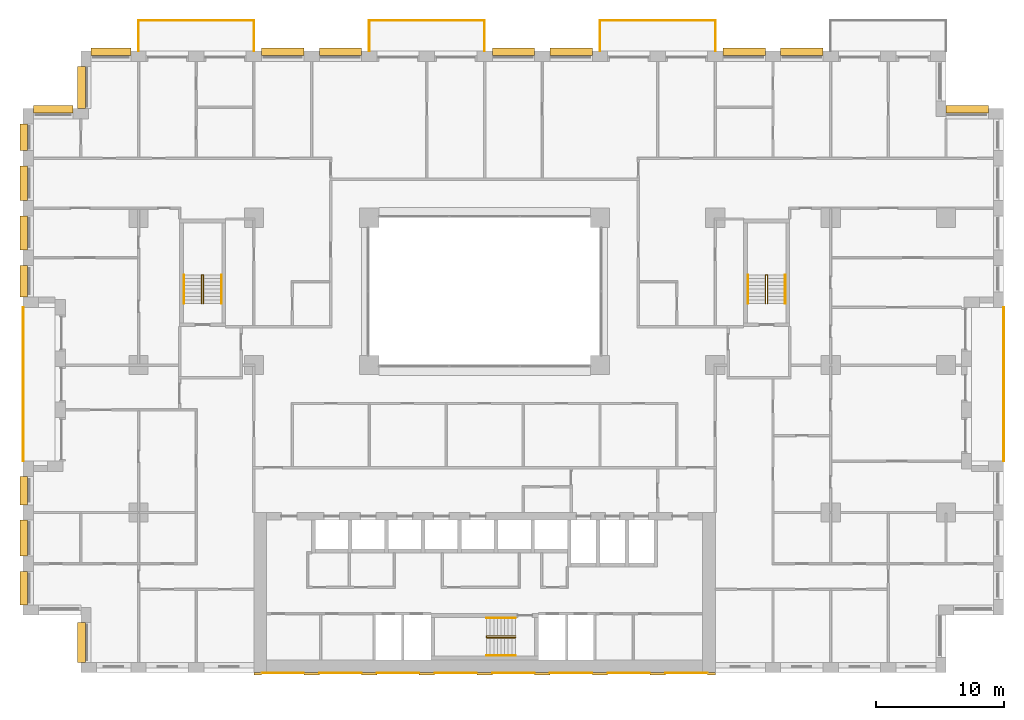
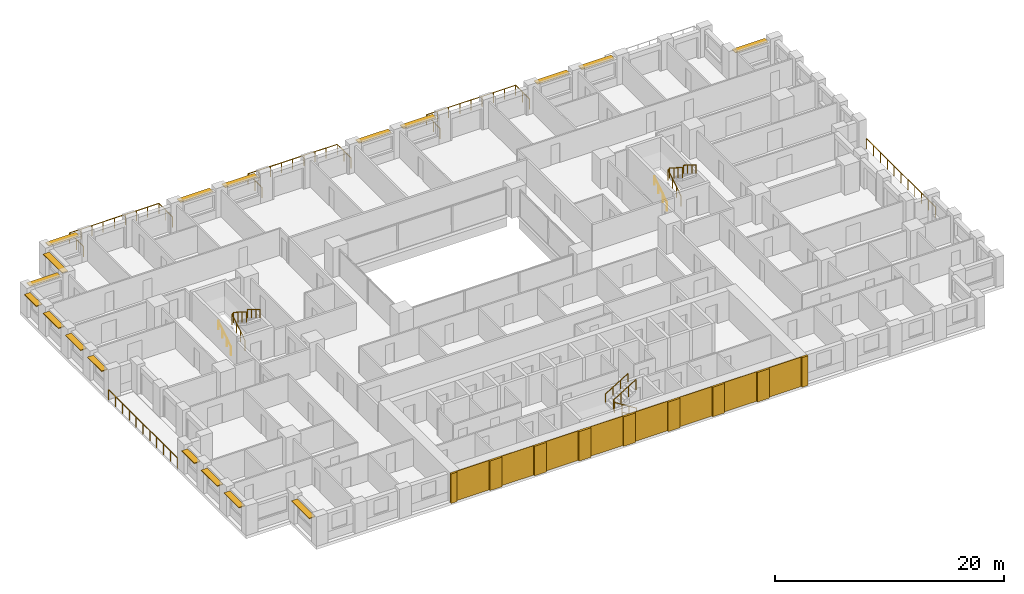
# One storey, part 18 of 19: 18 shading devices, 17 coverings, 14 railings.
"""IFC4 building model written with IfcOpenShell, lengths in metres."""

from ifc_helpers import new_model, si_unit, direction, frame, origin, origin_2d, place, context, subcontext, project, spatial, rectangle, circle, extrude, material, layer, layer_set, type_object, element, save


model = new_model("IFC4")

# Units and contexts
model_context = context("Model", 3, precision=1e-05, world=origin(), true_north=direction((0.0, 1.0)))
body_context = subcontext(model_context, "Body", "Model", "MODEL_VIEW")
ifc_project = project(units=[si_unit("LENGTHUNIT", "METRE"), si_unit("AREAUNIT", "SQUARE_METRE"), si_unit("VOLUMEUNIT", "CUBIC_METRE"), si_unit("PLANEANGLEUNIT", "RADIAN"), si_unit("MASSUNIT", "GRAM", prefix="KILO")], contexts=[model_context])

# Site, building, storey
site_placement = place(None, origin())
site = spatial("IfcSite", under=ifc_project, at=site_placement, CompositionType="ELEMENT")
building_placement = place(site_placement, origin())
building = spatial("IfcBuilding", under=site, at=building_placement, Name="Brigalow Station Residences", CompositionType="ELEMENT")
storey_placement = place(building_placement, frame((0.0, 0.0, 22.64990234375)))
storey = spatial("IfcBuildingStorey", under=building, at=storey_placement, Name="L05", CompositionType="ELEMENT", Elevation=22.64990234375)

# Railings
ifc_material_1 = material(Name="Stainless steel balustrade with laminated glass infill", Category="steel")
railing_type_1 = type_object("IfcRailingType", Name="BALCONY GUARD 1100", PredefinedType="GUARDRAIL", material=ifc_material_1)
railing_1_placement = place(storey_placement, frame((76.5, 16.5, -0.039794921875)))
element("IfcRailing", 1, at=railing_1_placement, inside=storey, type_object=railing_type_1, Name="L05/balcony-guard/1", PredefinedType="GUARDRAIL", context=body_context, shape_type="SweptSolid", body=[
    extrude(circle(Radius=0.02392578125, at=origin_2d()), frame((0.0, 0.0, 1.076171875), z_axis=(0.0, 1.0, 0.0), x_axis=(-1.0, 0.0, 0.0)), (0.0, 0.0, 1.0), 12.0),
    extrude(circle(Radius=0.02099609375, at=origin_2d()), origin(), (0.0, 0.0, 1.0), 1.052001953125),
    extrude(circle(Radius=0.02099609375, at=origin_2d()), frame((0.0, 1.199951171875, 0.0)), (0.0, 0.0, 1.0), 1.052001953125),
    extrude(circle(Radius=0.02099609375, at=origin_2d()), frame((0.0, 2.39990234375, 0.0)), (0.0, 0.0, 1.0), 1.052001953125),
    extrude(circle(Radius=0.02099609375, at=origin_2d()), frame((0.0, 3.60009765625, 0.0)), (0.0, 0.0, 1.0), 1.052001953125),
    extrude(circle(Radius=0.02099609375, at=origin_2d()), frame((0.0, 4.800048828125, 0.0)), (0.0, 0.0, 1.0), 1.052001953125),
    extrude(circle(Radius=0.02099609375, at=origin_2d()), frame((0.0, 6.0, 0.0)), (0.0, 0.0, 1.0), 1.052001953125),
    extrude(circle(Radius=0.02099609375, at=origin_2d()), frame((0.0, 7.199951171875, 0.0)), (0.0, 0.0, 1.0), 1.052001953125),
    extrude(circle(Radius=0.02099609375, at=origin_2d()), frame((0.0, 8.39990234375, 0.0)), (0.0, 0.0, 1.0), 1.052001953125),
    extrude(circle(Radius=0.02099609375, at=origin_2d()), frame((0.0, 9.60009765625, 0.0)), (0.0, 0.0, 1.0), 1.052001953125),
    extrude(circle(Radius=0.02099609375, at=origin_2d()), frame((0.0, 10.800048828125, 0.0)), (0.0, 0.0, 1.0), 1.052001953125),
    extrude(circle(Radius=0.02099609375, at=origin_2d()), frame((0.0, 12.0, 0.0)), (0.0, 0.0, 1.0), 1.052001953125),
])
railing_2_placement = place(storey_placement, frame((54.0, 48.5, -0.039794921875)))
element("IfcRailing", 2, at=railing_2_placement, inside=storey, type_object=railing_type_1, Name="L05/balcony-guard/3", PredefinedType="GUARDRAIL", context=body_context, shape_type="SweptSolid", body=[
    extrude(circle(Radius=0.02392578125, at=origin_2d()), frame((0.0, 0.0, 1.076171875), z_axis=(0.0, 1.0, 0.0), x_axis=(-1.0, 0.0, 0.0)), (0.0, 0.0, 1.0), 2.39990234375),
    extrude(circle(Radius=0.02392578125, at=origin_2d()), frame((0.0, 2.39990234375, 1.076171875), z_axis=(-1.0, 0.0, 0.0), x_axis=(0.0, -1.0, 0.0)), (0.0, 0.0, 1.0), 9.0),
    extrude(circle(Radius=0.02392578125, at=origin_2d()), frame((-9.0, 2.39990234375, 1.076171875), z_axis=(0.0, -1.0, 0.0), x_axis=(1.0, 0.0, 0.0)), (0.0, 0.0, 1.0), 2.39990234375),
    extrude(circle(Radius=0.02099609375, at=origin_2d()), origin(), (0.0, 0.0, 1.0), 1.052001953125),
    extrude(circle(Radius=0.02099609375, at=origin_2d()), frame((0.0, 1.199951171875, 0.0)), (0.0, 0.0, 1.0), 1.052001953125),
    extrude(circle(Radius=0.02099609375, at=origin_2d()), frame((0.0, 2.39990234375, 0.0)), (0.0, 0.0, 1.0), 1.052001953125),
    extrude(circle(Radius=0.02099609375, at=origin_2d()), frame((-1.125, 2.39990234375, 0.0)), (0.0, 0.0, 1.0), 1.052001953125),
    extrude(circle(Radius=0.02099609375, at=origin_2d()), frame((-2.25, 2.39990234375, 0.0)), (0.0, 0.0, 1.0), 1.052001953125),
    extrude(circle(Radius=0.02099609375, at=origin_2d()), frame((-3.375, 2.39990234375, 0.0)), (0.0, 0.0, 1.0), 1.052001953125),
    extrude(circle(Radius=0.02099609375, at=origin_2d()), frame((-4.5, 2.39990234375, 0.0)), (0.0, 0.0, 1.0), 1.052001953125),
    extrude(circle(Radius=0.02099609375, at=origin_2d()), frame((-5.625, 2.39990234375, 0.0)), (0.0, 0.0, 1.0), 1.052001953125),
    extrude(circle(Radius=0.02099609375, at=origin_2d()), frame((-6.75, 2.39990234375, 0.0)), (0.0, 0.0, 1.0), 1.052001953125),
    extrude(circle(Radius=0.02099609375, at=origin_2d()), frame((-7.875, 2.39990234375, 0.0)), (0.0, 0.0, 1.0), 1.052001953125),
    extrude(circle(Radius=0.02099609375, at=origin_2d()), frame((-9.0, 2.39990234375, 0.0)), (0.0, 0.0, 1.0), 1.052001953125),
    extrude(circle(Radius=0.02099609375, at=origin_2d()), frame((-9.0, 1.199951171875, 0.0)), (0.0, 0.0, 1.0), 1.052001953125),
    extrude(circle(Radius=0.02099609375, at=origin_2d()), frame((-9.0, 0.0, 0.0)), (0.0, 0.0, 1.0), 1.052001953125),
])
railing_3_placement = place(storey_placement, frame((36.0, 48.5, -0.039794921875)))
element("IfcRailing", 3, at=railing_3_placement, inside=storey, type_object=railing_type_1, Name="L05/balcony-guard/4", PredefinedType="GUARDRAIL", context=body_context, shape_type="SweptSolid", body=[
    extrude(circle(Radius=0.02392578125, at=origin_2d()), frame((0.0, 0.0, 1.076171875), z_axis=(0.0, 1.0, 0.0), x_axis=(-1.0, 0.0, 0.0)), (0.0, 0.0, 1.0), 2.39990234375),
    extrude(circle(Radius=0.02392578125, at=origin_2d()), frame((0.0, 2.39990234375, 1.076171875), z_axis=(-1.0, 0.0, 0.0), x_axis=(0.0, -1.0, 0.0)), (0.0, 0.0, 1.0), 9.0),
    extrude(circle(Radius=0.02392578125, at=origin_2d()), frame((-9.0, 2.39990234375, 1.076171875), z_axis=(0.0, -1.0, 0.0), x_axis=(1.0, 0.0, 0.0)), (0.0, 0.0, 1.0), 2.39990234375),
    extrude(circle(Radius=0.02099609375, at=origin_2d()), origin(), (0.0, 0.0, 1.0), 1.052001953125),
    extrude(circle(Radius=0.02099609375, at=origin_2d()), frame((0.0, 1.199951171875, 0.0)), (0.0, 0.0, 1.0), 1.052001953125),
    extrude(circle(Radius=0.02099609375, at=origin_2d()), frame((0.0, 2.39990234375, 0.0)), (0.0, 0.0, 1.0), 1.052001953125),
    extrude(circle(Radius=0.02099609375, at=origin_2d()), frame((-1.125, 2.39990234375, 0.0)), (0.0, 0.0, 1.0), 1.052001953125),
    extrude(circle(Radius=0.02099609375, at=origin_2d()), frame((-2.25, 2.39990234375, 0.0)), (0.0, 0.0, 1.0), 1.052001953125),
    extrude(circle(Radius=0.02099609375, at=origin_2d()), frame((-3.375, 2.39990234375, 0.0)), (0.0, 0.0, 1.0), 1.052001953125),
    extrude(circle(Radius=0.02099609375, at=origin_2d()), frame((-4.5, 2.39990234375, 0.0)), (0.0, 0.0, 1.0), 1.052001953125),
    extrude(circle(Radius=0.02099609375, at=origin_2d()), frame((-5.625, 2.39990234375, 0.0)), (0.0, 0.0, 1.0), 1.052001953125),
    extrude(circle(Radius=0.02099609375, at=origin_2d()), frame((-6.75, 2.39990234375, 0.0)), (0.0, 0.0, 1.0), 1.052001953125),
    extrude(circle(Radius=0.02099609375, at=origin_2d()), frame((-7.875, 2.39990234375, 0.0)), (0.0, 0.0, 1.0), 1.052001953125),
    extrude(circle(Radius=0.02099609375, at=origin_2d()), frame((-9.0, 2.39990234375, 0.0)), (0.0, 0.0, 1.0), 1.052001953125),
    extrude(circle(Radius=0.02099609375, at=origin_2d()), frame((-9.0, 1.199951171875, 0.0)), (0.0, 0.0, 1.0), 1.052001953125),
    extrude(circle(Radius=0.02099609375, at=origin_2d()), frame((-9.0, 0.0, 0.0)), (0.0, 0.0, 1.0), 1.052001953125),
])
railing_4_placement = place(storey_placement, frame((18.0, 48.5, -0.039794921875)))
element("IfcRailing", 4, at=railing_4_placement, inside=storey, type_object=railing_type_1, Name="L05/balcony-guard/5", PredefinedType="GUARDRAIL", context=body_context, shape_type="SweptSolid", body=[
    extrude(circle(Radius=0.02392578125, at=origin_2d()), frame((0.0, 0.0, 1.076171875), z_axis=(0.0, 1.0, 0.0), x_axis=(-1.0, 0.0, 0.0)), (0.0, 0.0, 1.0), 2.39990234375),
    extrude(circle(Radius=0.02392578125, at=origin_2d()), frame((0.0, 2.39990234375, 1.076171875), z_axis=(-1.0, 0.0, 0.0), x_axis=(0.0, -1.0, 0.0)), (0.0, 0.0, 1.0), 9.0),
    extrude(circle(Radius=0.02392578125, at=origin_2d()), frame((-9.0, 2.39990234375, 1.076171875), z_axis=(0.0, -1.0, 0.0), x_axis=(1.0, 0.0, 0.0)), (0.0, 0.0, 1.0), 2.39990234375),
    extrude(circle(Radius=0.02099609375, at=origin_2d()), origin(), (0.0, 0.0, 1.0), 1.052001953125),
    extrude(circle(Radius=0.02099609375, at=origin_2d()), frame((0.0, 1.199951171875, 0.0)), (0.0, 0.0, 1.0), 1.052001953125),
    extrude(circle(Radius=0.02099609375, at=origin_2d()), frame((0.0, 2.39990234375, 0.0)), (0.0, 0.0, 1.0), 1.052001953125),
    extrude(circle(Radius=0.02099609375, at=origin_2d()), frame((-1.125, 2.39990234375, 0.0)), (0.0, 0.0, 1.0), 1.052001953125),
    extrude(circle(Radius=0.02099609375, at=origin_2d()), frame((-2.25, 2.39990234375, 0.0)), (0.0, 0.0, 1.0), 1.052001953125),
    extrude(circle(Radius=0.02099609375, at=origin_2d()), frame((-3.375, 2.39990234375, 0.0)), (0.0, 0.0, 1.0), 1.052001953125),
    extrude(circle(Radius=0.02099609375, at=origin_2d()), frame((-4.5, 2.39990234375, 0.0)), (0.0, 0.0, 1.0), 1.052001953125),
    extrude(circle(Radius=0.02099609375, at=origin_2d()), frame((-5.625, 2.39990234375, 0.0)), (0.0, 0.0, 1.0), 1.052001953125),
    extrude(circle(Radius=0.02099609375, at=origin_2d()), frame((-6.75, 2.39990234375, 0.0)), (0.0, 0.0, 1.0), 1.052001953125),
    extrude(circle(Radius=0.02099609375, at=origin_2d()), frame((-7.875, 2.39990234375, 0.0)), (0.0, 0.0, 1.0), 1.052001953125),
    extrude(circle(Radius=0.02099609375, at=origin_2d()), frame((-9.0, 2.39990234375, 0.0)), (0.0, 0.0, 1.0), 1.052001953125),
    extrude(circle(Radius=0.02099609375, at=origin_2d()), frame((-9.0, 1.199951171875, 0.0)), (0.0, 0.0, 1.0), 1.052001953125),
    extrude(circle(Radius=0.02099609375, at=origin_2d()), frame((-9.0, 0.0, 0.0)), (0.0, 0.0, 1.0), 1.052001953125),
])
railing_5_placement = place(storey_placement, frame((0.0, 28.5, -0.039794921875)))
element("IfcRailing", 5, at=railing_5_placement, inside=storey, type_object=railing_type_1, Name="L05/balcony-guard/6", PredefinedType="GUARDRAIL", context=body_context, shape_type="SweptSolid", body=[
    extrude(circle(Radius=0.02392578125, at=origin_2d()), frame((0.0, 0.0, 1.076171875), z_axis=(0.0, -1.0, 0.0), x_axis=(1.0, 0.0, 0.0)), (0.0, 0.0, 1.0), 12.0),
    extrude(circle(Radius=0.02099609375, at=origin_2d()), origin(), (0.0, 0.0, 1.0), 1.052001953125),
    extrude(circle(Radius=0.02099609375, at=origin_2d()), frame((0.0, -1.199951171875, 0.0)), (0.0, 0.0, 1.0), 1.052001953125),
    extrude(circle(Radius=0.02099609375, at=origin_2d()), frame((0.0, -2.39990234375, 0.0)), (0.0, 0.0, 1.0), 1.052001953125),
    extrude(circle(Radius=0.02099609375, at=origin_2d()), frame((0.0, -3.60009765625, 0.0)), (0.0, 0.0, 1.0), 1.052001953125),
    extrude(circle(Radius=0.02099609375, at=origin_2d()), frame((0.0, -4.800048828125, 0.0)), (0.0, 0.0, 1.0), 1.052001953125),
    extrude(circle(Radius=0.02099609375, at=origin_2d()), frame((0.0, -6.0, 0.0)), (0.0, 0.0, 1.0), 1.052001953125),
    extrude(circle(Radius=0.02099609375, at=origin_2d()), frame((0.0, -7.199951171875, 0.0)), (0.0, 0.0, 1.0), 1.052001953125),
    extrude(circle(Radius=0.02099609375, at=origin_2d()), frame((0.0, -8.39990234375, 0.0)), (0.0, 0.0, 1.0), 1.052001953125),
    extrude(circle(Radius=0.02099609375, at=origin_2d()), frame((0.0, -9.60009765625, 0.0)), (0.0, 0.0, 1.0), 1.052001953125),
    extrude(circle(Radius=0.02099609375, at=origin_2d()), frame((0.0, -10.800048828125, 0.0)), (0.0, 0.0, 1.0), 1.052001953125),
    extrude(circle(Radius=0.02099609375, at=origin_2d()), frame((0.0, -12.0, 0.0)), (0.0, 0.0, 1.0), 1.052001953125),
])

# Coverings
ifc_material_2 = material(Name="Clay brick masonry", Category="masonry")
ifc_layer_1 = layer(ifc_material_2, 0.06005859375)
ifc_layer_set_1 = layer_set([ifc_layer_1], Name="BRICK PANEL FACING 60")
covering_type_1 = type_object("IfcCoveringType", Name="BRICK PANEL FACING 60", PredefinedType="CLADDING", material=ifc_layer_set_1)
for number, where, z_axis, x_axis, name in (
    (6, (20.25, -0.030029296875, 0.000244140625), (0.0, 0.0, 1.0), (1.0, 0.0, 0.0), "L05/rear-facing/panel-1"),
    (7, (24.75, -0.030029296875, 0.000244140625), (0.0, 0.0, 1.0), (1.0, 0.0, 0.0), "L05/rear-facing/panel-2"),
    (8, (29.25, -0.030029296875, 0.000244140625), (0.0, 0.0, 1.0), (1.0, 0.0, 0.0), "L05/rear-facing/panel-3"),
    (9, (33.75, -0.030029296875, 0.000244140625), (0.0, 0.0, 1.0), (1.0, 0.0, 0.0), "L05/rear-facing/panel-4"),
    (10, (38.25, -0.030029296875, 0.000244140625), (0.0, 0.0, 1.0), (1.0, 0.0, 0.0), "L05/rear-facing/panel-5"),
    (11, (42.75, -0.030029296875, 0.000244140625), (0.0, 0.0, 1.0), (1.0, 0.0, 0.0), "L05/rear-facing/panel-6"),
    (12, (47.25, -0.030029296875, 0.000244140625), (0.0, 0.0, 1.0), (1.0, 0.0, 0.0), "L05/rear-facing/panel-7"),
    (13, (51.75, -0.030029296875, 0.000244140625), (0.0, 0.0, 1.0), (1.0, 0.0, 0.0), "L05/rear-facing/panel-8"),
):
    element("IfcCovering", number, at=place(storey_placement, frame(where, z_axis=z_axis, x_axis=x_axis)), inside=storey, type_object=covering_type_1, Name=name, PredefinedType="CLADDING", context=body_context, shape_type="SweptSolid", body=[
        extrude(rectangle(XDim=3.300048828125, YDim=0.06005859375, at=origin_2d()), origin(), (0.0, 0.0, 1.0), 3.14990234375),
    ])
ifc_material_3 = material(Name="Clay brick masonry", Category="masonry")
ifc_layer_2 = layer(ifc_material_3, 0.199951171875)
ifc_layer_set_2 = layer_set([ifc_layer_2], Name="BRICK PIER FACING 200")
covering_type_2 = type_object("IfcCoveringType", Name="BRICK PIER FACING 200", PredefinedType="CLADDING", material=ifc_layer_set_2)
covering_1_placement = place(storey_placement, frame((18.300048828125, -0.10009765625, 0.000244140625), z_axis=(0.0, 0.0, 1.0), x_axis=(1.0, 0.0, 0.0)))
element("IfcCovering", 14, at=covering_1_placement, inside=storey, type_object=covering_type_2, Name="L05/rear-facing/pier-1", PredefinedType="CLADDING", context=body_context, shape_type="SweptSolid", body=[
    extrude(rectangle(XDim=0.60009765625, YDim=0.199951171875, at=origin_2d()), origin(), (0.0, 0.0, 1.0), 3.14990234375),
])
for number, where, z_axis, x_axis, name in (
    (15, (22.5, -0.10009765625, 0.000244140625), (0.0, 0.0, 1.0), (1.0, 0.0, 0.0), "L05/rear-facing/pier-2"),
    (16, (27.0, -0.10009765625, 0.000244140625), (0.0, 0.0, 1.0), (1.0, 0.0, 0.0), "L05/rear-facing/pier-3"),
    (17, (31.5, -0.10009765625, 0.000244140625), (0.0, 0.0, 1.0), (1.0, 0.0, 0.0), "L05/rear-facing/pier-4"),
    (18, (36.0, -0.10009765625, 0.000244140625), (0.0, 0.0, 1.0), (1.0, 0.0, 0.0), "L05/rear-facing/pier-5"),
    (19, (40.5, -0.10009765625, 0.000244140625), (0.0, 0.0, 1.0), (1.0, 0.0, 0.0), "L05/rear-facing/pier-6"),
    (20, (45.0, -0.10009765625, 0.000244140625), (0.0, 0.0, 1.0), (1.0, 0.0, 0.0), "L05/rear-facing/pier-7"),
    (21, (49.5, -0.10009765625, 0.000244140625), (0.0, 0.0, 1.0), (1.0, 0.0, 0.0), "L05/rear-facing/pier-8"),
):
    element("IfcCovering", number, at=place(storey_placement, frame(where, z_axis=z_axis, x_axis=x_axis)), inside=storey, type_object=covering_type_2, Name=name, PredefinedType="CLADDING", context=body_context, shape_type="SweptSolid", body=[
        extrude(rectangle(XDim=1.199951171875, YDim=0.199951171875, at=origin_2d()), origin(), (0.0, 0.0, 1.0), 3.14990234375),
    ])
covering_2_placement = place(storey_placement, frame((53.699951171875, -0.10009765625, 0.000244140625), z_axis=(0.0, 0.0, 1.0), x_axis=(1.0, 0.0, 0.0)))
element("IfcCovering", 22, at=covering_2_placement, inside=storey, type_object=covering_type_2, Name="L05/rear-facing/pier-9", PredefinedType="CLADDING", context=body_context, shape_type="SweptSolid", body=[
    extrude(rectangle(XDim=0.60009765625, YDim=0.199951171875, at=origin_2d()), origin(), (0.0, 0.0, 1.0), 3.14990234375),
])

# Railings
ifc_material_4 = material(Name="Stainless steel balustrade", Category="steel")
railing_type_2 = type_object("IfcRailingType", Name="STAIR GUARD 1100", PredefinedType="GUARDRAIL", material=ifc_material_4)
railing_6_placement = place(storey_placement, frame((38.39990234375, 2.72998046875, 0.175048828125)))
element("IfcRailing", 23, at=railing_6_placement, inside=storey, type_object=railing_type_2, Name="GUARD GR-2", PredefinedType="GUARDRAIL", context=body_context, shape_type="SweptSolid", body=[
    extrude(circle(Radius=0.02392578125, at=origin_2d()), frame((0.0, 0.0, 1.076171875), z_axis=(-0.847972341737, 0.0, 0.530040477369), x_axis=(0.0, -1.0, 0.0)), (0.0, 0.0, 1.0), 2.6416015625),
    extrude(circle(Radius=0.02392578125, at=origin_2d()), frame((-2.239990234375, 0.0, 2.47607421875), z_axis=(0.0, 0.62549206879, 0.780230524833), x_axis=(-1.0, 0.0, 0.0)), (0.0, 0.0, 1.0), 0.22412109375),
    extrude(circle(Radius=0.02392578125, at=origin_2d()), frame((-2.239990234375, 0.14013671875, 2.65087890625), z_axis=(0.847972341737, 0.0, 0.530040477369), x_axis=(0.0, 1.0, 0.0)), (0.0, 0.0, 1.0), 2.6416015625),
    extrude(circle(Radius=0.02099609375, at=origin_2d()), origin(), (0.0, 0.0, 1.0), 1.052001953125),
    extrude(circle(Radius=0.02099609375, at=origin_2d()), frame((-0.74658203125, 0.0, 0.466796875)), (0.0, 0.0, 1.0), 1.052001953125),
    extrude(circle(Radius=0.02099609375, at=origin_2d()), frame((-1.493408203125, 0.0, 0.933349609375)), (0.0, 0.0, 1.0), 1.052001953125),
    extrude(circle(Radius=0.02099609375, at=origin_2d()), frame((-2.239990234375, 0.0, 1.400146484375)), (0.0, 0.0, 1.0), 1.052001953125),
    extrude(circle(Radius=0.02099609375, at=origin_2d()), frame((-2.239990234375, 0.14013671875, 1.574951171875)), (0.0, 0.0, 1.0), 1.052001953125),
    extrude(circle(Radius=0.02099609375, at=origin_2d()), frame((-1.493408203125, 0.14013671875, 2.041748046875)), (0.0, 0.0, 1.0), 1.052001953125),
    extrude(circle(Radius=0.02099609375, at=origin_2d()), frame((-0.74658203125, 0.14013671875, 2.50830078125)), (0.0, 0.0, 1.0), 1.052001953125),
    extrude(circle(Radius=0.02099609375, at=origin_2d()), frame((0.0, 0.14013671875, 2.97509765625)), (0.0, 0.0, 1.0), 1.052001953125),
])
for number, where, name in (
    (24, (13.929931640625, 28.800048828125, 0.175048828125), "GUARD GR-1"),
    (25, (57.929931640625, 28.800048828125, 0.175048828125), "GUARD GR-3"),
):
    element("IfcRailing", number, at=place(storey_placement, frame(where)), inside=storey, type_object=railing_type_2, Name=name, PredefinedType="GUARDRAIL", context=body_context, shape_type="SweptSolid", body=[
        extrude(circle(Radius=0.02392578125, at=origin_2d()), frame((0.0, 0.0, 1.076171875), z_axis=(0.0, 0.847972341737, 0.530040477369), x_axis=(-1.0, 0.0, 0.0)), (0.0, 0.0, 1.0), 2.6416015625),
        extrude(circle(Radius=0.02392578125, at=origin_2d()), frame((0.0, 2.239990234375, 2.47607421875), z_axis=(0.62549206879, 0.0, 0.780230524833), x_axis=(0.0, 1.0, 0.0)), (0.0, 0.0, 1.0), 0.22412109375),
        extrude(circle(Radius=0.02392578125, at=origin_2d()), frame((0.14013671875, 2.239990234375, 2.65087890625), z_axis=(0.0, -0.847972341737, 0.530040477369), x_axis=(1.0, 0.0, 0.0)), (0.0, 0.0, 1.0), 2.6416015625),
        extrude(circle(Radius=0.02099609375, at=origin_2d()), origin(), (0.0, 0.0, 1.0), 1.052001953125),
        extrude(circle(Radius=0.02099609375, at=origin_2d()), frame((0.0, 0.74658203125, 0.466796875)), (0.0, 0.0, 1.0), 1.052001953125),
        extrude(circle(Radius=0.02099609375, at=origin_2d()), frame((0.0, 1.493408203125, 0.933349609375)), (0.0, 0.0, 1.0), 1.052001953125),
        extrude(circle(Radius=0.02099609375, at=origin_2d()), frame((0.0, 2.239990234375, 1.400146484375)), (0.0, 0.0, 1.0), 1.052001953125),
        extrude(circle(Radius=0.02099609375, at=origin_2d()), frame((0.14013671875, 2.239990234375, 1.574951171875)), (0.0, 0.0, 1.0), 1.052001953125),
        extrude(circle(Radius=0.02099609375, at=origin_2d()), frame((0.14013671875, 1.493408203125, 2.041748046875)), (0.0, 0.0, 1.0), 1.052001953125),
        extrude(circle(Radius=0.02099609375, at=origin_2d()), frame((0.14013671875, 0.74658203125, 2.50830078125)), (0.0, 0.0, 1.0), 1.052001953125),
        extrude(circle(Radius=0.02099609375, at=origin_2d()), frame((0.14013671875, 0.0, 2.97509765625)), (0.0, 0.0, 1.0), 1.052001953125),
    ])
ifc_material_5 = material(Name="Stainless steel handrail", Category="steel")
railing_type_3 = type_object("IfcRailingType", Name="STAIR HANDRAIL 900", PredefinedType="HANDRAIL", material=ifc_material_5)
railing_7_placement = place(storey_placement, frame((38.39990234375, 1.340087890625, 0.175048828125)))
element("IfcRailing", 26, at=railing_7_placement, inside=storey, type_object=railing_type_3, Name="HANDRAIL HR-21", PredefinedType="HANDRAIL", context=body_context, shape_type="SweptSolid", body=[
    extrude(circle(Radius=0.02392578125, at=origin_2d()), frame((0.0, 0.0, 0.8759765625), z_axis=(-0.847972341737, 0.0, 0.530040477369), x_axis=(0.0, -1.0, 0.0)), (0.0, 0.0, 1.0), 2.6416015625),
    extrude(circle(Radius=0.02099609375, at=origin_2d()), origin(), (0.0, 0.0, 1.0), 0.851806640625),
    extrude(circle(Radius=0.02099609375, at=origin_2d()), frame((-0.74658203125, 0.0, 0.466796875)), (0.0, 0.0, 1.0), 0.851806640625),
    extrude(circle(Radius=0.02099609375, at=origin_2d()), frame((-1.493408203125, 0.0, 0.933349609375)), (0.0, 0.0, 1.0), 0.851806640625),
    extrude(circle(Radius=0.02099609375, at=origin_2d()), frame((-2.239990234375, 0.0, 1.400146484375)), (0.0, 0.0, 1.0), 0.851806640625),
])
railing_8_placement = place(storey_placement, frame((36.159912109375, 4.260009765625, 1.75)))
element("IfcRailing", 27, at=railing_8_placement, inside=storey, type_object=railing_type_3, Name="HANDRAIL HR-22", PredefinedType="HANDRAIL", context=body_context, shape_type="SweptSolid", body=[
    extrude(circle(Radius=0.02392578125, at=origin_2d()), frame((0.0, 0.0, 0.8759765625), z_axis=(0.847972341737, 0.0, 0.530040477369), x_axis=(0.0, 1.0, 0.0)), (0.0, 0.0, 1.0), 2.6416015625),
    extrude(circle(Radius=0.02099609375, at=origin_2d()), origin(), (0.0, 0.0, 1.0), 0.851806640625),
    extrude(circle(Radius=0.02099609375, at=origin_2d()), frame((0.74658203125, 0.0, 0.466796875)), (0.0, 0.0, 1.0), 0.851806640625),
    extrude(circle(Radius=0.02099609375, at=origin_2d()), frame((1.493408203125, 0.0, 0.933349609375)), (0.0, 0.0, 1.0), 0.851806640625),
    extrude(circle(Radius=0.02099609375, at=origin_2d()), frame((2.239990234375, 0.0, 1.400146484375)), (0.0, 0.0, 1.0), 0.851806640625),
])
railing_9_placement = place(storey_placement, frame((12.5400390625, 28.800048828125, 0.175048828125)))
element("IfcRailing", 28, at=railing_9_placement, inside=storey, type_object=railing_type_3, Name="HANDRAIL HR-11", PredefinedType="HANDRAIL", context=body_context, shape_type="SweptSolid", body=[
    extrude(circle(Radius=0.02392578125, at=origin_2d()), frame((0.0, 0.0, 0.8759765625), z_axis=(0.0, 0.847972341737, 0.530040477369), x_axis=(-1.0, 0.0, 0.0)), (0.0, 0.0, 1.0), 2.6416015625),
    extrude(circle(Radius=0.02099609375, at=origin_2d()), origin(), (0.0, 0.0, 1.0), 0.851806640625),
    extrude(circle(Radius=0.02099609375, at=origin_2d()), frame((0.0, 0.74658203125, 0.466796875)), (0.0, 0.0, 1.0), 0.851806640625),
    extrude(circle(Radius=0.02099609375, at=origin_2d()), frame((0.0, 1.493408203125, 0.933349609375)), (0.0, 0.0, 1.0), 0.851806640625),
    extrude(circle(Radius=0.02099609375, at=origin_2d()), frame((0.0, 2.239990234375, 1.400146484375)), (0.0, 0.0, 1.0), 0.851806640625),
])
railing_10_placement = place(storey_placement, frame((15.4599609375, 31.0400390625, 1.75)))
element("IfcRailing", 29, at=railing_10_placement, inside=storey, type_object=railing_type_3, Name="HANDRAIL HR-12", PredefinedType="HANDRAIL", context=body_context, shape_type="SweptSolid", body=[
    extrude(circle(Radius=0.02392578125, at=origin_2d()), frame((0.0, 0.0, 0.8759765625), z_axis=(0.0, -0.847972341737, 0.530040477369), x_axis=(1.0, 0.0, 0.0)), (0.0, 0.0, 1.0), 2.6416015625),
    extrude(circle(Radius=0.02099609375, at=origin_2d()), origin(), (0.0, 0.0, 1.0), 0.851806640625),
    extrude(circle(Radius=0.02099609375, at=origin_2d()), frame((0.0, -0.74658203125, 0.466796875)), (0.0, 0.0, 1.0), 0.851806640625),
    extrude(circle(Radius=0.02099609375, at=origin_2d()), frame((0.0, -1.493408203125, 0.933349609375)), (0.0, 0.0, 1.0), 0.851806640625),
    extrude(circle(Radius=0.02099609375, at=origin_2d()), frame((0.0, -2.239990234375, 1.400146484375)), (0.0, 0.0, 1.0), 0.851806640625),
])
railing_11_placement = place(storey_placement, frame((56.5400390625, 28.800048828125, 0.175048828125)))
element("IfcRailing", 30, at=railing_11_placement, inside=storey, type_object=railing_type_3, Name="HANDRAIL HR-31", PredefinedType="HANDRAIL", context=body_context, shape_type="SweptSolid", body=[
    extrude(circle(Radius=0.02392578125, at=origin_2d()), frame((0.0, 0.0, 0.8759765625), z_axis=(0.0, 0.847972341737, 0.530040477369), x_axis=(-1.0, 0.0, 0.0)), (0.0, 0.0, 1.0), 2.6416015625),
    extrude(circle(Radius=0.02099609375, at=origin_2d()), origin(), (0.0, 0.0, 1.0), 0.851806640625),
    extrude(circle(Radius=0.02099609375, at=origin_2d()), frame((0.0, 0.74658203125, 0.466796875)), (0.0, 0.0, 1.0), 0.851806640625),
    extrude(circle(Radius=0.02099609375, at=origin_2d()), frame((0.0, 1.493408203125, 0.933349609375)), (0.0, 0.0, 1.0), 0.851806640625),
    extrude(circle(Radius=0.02099609375, at=origin_2d()), frame((0.0, 2.239990234375, 1.400146484375)), (0.0, 0.0, 1.0), 0.851806640625),
])
railing_12_placement = place(storey_placement, frame((59.4599609375, 31.0400390625, 1.75)))
element("IfcRailing", 31, at=railing_12_placement, inside=storey, type_object=railing_type_3, Name="HANDRAIL HR-32", PredefinedType="HANDRAIL", context=body_context, shape_type="SweptSolid", body=[
    extrude(circle(Radius=0.02392578125, at=origin_2d()), frame((0.0, 0.0, 0.8759765625), z_axis=(0.0, -0.847972341737, 0.530040477369), x_axis=(1.0, 0.0, 0.0)), (0.0, 0.0, 1.0), 2.6416015625),
    extrude(circle(Radius=0.02099609375, at=origin_2d()), origin(), (0.0, 0.0, 1.0), 0.851806640625),
    extrude(circle(Radius=0.02099609375, at=origin_2d()), frame((0.0, -0.74658203125, 0.466796875)), (0.0, 0.0, 1.0), 0.851806640625),
    extrude(circle(Radius=0.02099609375, at=origin_2d()), frame((0.0, -1.493408203125, 0.933349609375)), (0.0, 0.0, 1.0), 0.851806640625),
    extrude(circle(Radius=0.02099609375, at=origin_2d()), frame((0.0, -2.239990234375, 1.400146484375)), (0.0, 0.0, 1.0), 0.851806640625),
])

# Shading devices
ifc_material_6 = material(Name="Powder-coated extruded aluminium blade", Category="aluminium")
ifc_layer_3 = layer(ifc_material_6, 0.080078125)
ifc_layer_set_3 = layer_set([ifc_layer_3], Name="SUNSHADE BLADE 600x80")
shading_device_type = type_object("IfcShadingDeviceType", Name="SUNSHADE BLADE 600x80", PredefinedType="JALOUSIE", material=ifc_layer_set_3)
for number, where, z_axis, x_axis, name in (
    (32, (73.64990234375, 43.949951171875, 2.550048828125), (0.0, 0.0, 1.0), (-1.0, 0.0, 0.0), "L05/blade/W-L05-23"),
    (33, (60.75, 48.449951171875, 2.550048828125), (0.0, 0.0, 1.0), (-1.0, 0.0, 0.0), "L05/blade/W-L05-27"),
    (34, (56.25, 48.449951171875, 2.550048828125), (0.0, 0.0, 1.0), (-1.0, 0.0, 0.0), "L05/blade/W-L05-28"),
    (35, (42.75, 48.449951171875, 2.550048828125), (0.0, 0.0, 1.0), (-1.0, 0.0, 0.0), "L05/blade/W-L05-31"),
    (36, (38.25, 48.449951171875, 2.550048828125), (0.0, 0.0, 1.0), (-1.0, 0.0, 0.0), "L05/blade/W-L05-32"),
    (37, (24.75, 48.449951171875, 2.550048828125), (0.0, 0.0, 1.0), (-1.0, 0.0, 0.0), "L05/blade/W-L05-35"),
    (38, (20.25, 48.449951171875, 2.550048828125), (0.0, 0.0, 1.0), (-1.0, 0.0, 0.0), "L05/blade/W-L05-36"),
):
    element("IfcShadingDevice", number, at=place(storey_placement, frame(where, z_axis=z_axis, x_axis=x_axis)), inside=storey, type_object=shading_device_type, Name=name, PredefinedType="JALOUSIE", context=body_context, shape_type="SweptSolid", body=[
        extrude(rectangle(XDim=3.300048828125, YDim=0.60009765625, at=origin_2d()), origin(), (0.0, 0.0, 1.0), 0.080078125),
    ])
shading_device_1_placement = place(storey_placement, frame((6.85009765625, 48.449951171875, 2.550048828125), z_axis=(0.0, 0.0, 1.0), x_axis=(-1.0, 0.0, 0.0)))
element("IfcShadingDevice", 39, at=shading_device_1_placement, inside=storey, type_object=shading_device_type, Name="L05/blade/W-L05-39", PredefinedType="JALOUSIE", context=body_context, shape_type="SweptSolid", body=[
    extrude(rectangle(XDim=3.10009765625, YDim=0.60009765625, at=origin_2d()), origin(), (0.0, 0.0, 1.0), 0.080078125),
])
shading_device_2_placement = place(storey_placement, frame((4.550048828125, 45.64990234375, 2.550048828125), z_axis=(0.0, 0.0, 1.0), x_axis=(0.0, -1.0, 0.0)))
element("IfcShadingDevice", 40, at=shading_device_2_placement, inside=storey, type_object=shading_device_type, Name="L05/blade/W-L05-40", PredefinedType="JALOUSIE", context=body_context, shape_type="SweptSolid", body=[
    extrude(rectangle(XDim=3.300048828125, YDim=0.60009765625, at=origin_2d()), origin(), (0.0, 0.0, 1.0), 0.080078125),
])
shading_device_3_placement = place(storey_placement, frame((2.35009765625, 43.949951171875, 2.550048828125), z_axis=(0.0, 0.0, 1.0), x_axis=(-1.0, 0.0, 0.0)))
element("IfcShadingDevice", 41, at=shading_device_3_placement, inside=storey, type_object=shading_device_type, Name="L05/blade/W-L05-41", PredefinedType="JALOUSIE", context=body_context, shape_type="SweptSolid", body=[
    extrude(rectangle(XDim=3.10009765625, YDim=0.60009765625, at=origin_2d()), origin(), (0.0, 0.0, 1.0), 0.080078125),
])
shading_device_4_placement = place(storey_placement, frame((0.050048828125, 41.762451171875, 2.550048828125), z_axis=(0.0, 0.0, 1.0), x_axis=(0.0, -1.0, 0.0)))
element("IfcShadingDevice", 42, at=shading_device_4_placement, inside=storey, type_object=shading_device_type, Name="L05/blade/W-L05-42", PredefinedType="JALOUSIE", context=body_context, shape_type="SweptSolid", body=[
    extrude(rectangle(XDim=2.074951171875, YDim=0.60009765625, at=origin_2d()), origin(), (0.0, 0.0, 1.0), 0.080078125),
])
for number, where, z_axis, x_axis, name in (
    (43, (0.050048828125, 38.1875, 2.550048828125), (0.0, 0.0, 1.0), (0.0, -1.0, 0.0), "L05/blade/W-L05-43"),
    (44, (0.050048828125, 34.3125, 2.550048828125), (0.0, 0.0, 1.0), (0.0, -1.0, 0.0), "L05/blade/W-L05-44"),
):
    element("IfcShadingDevice", number, at=place(storey_placement, frame(where, z_axis=z_axis, x_axis=x_axis)), inside=storey, type_object=shading_device_type, Name=name, PredefinedType="JALOUSIE", context=body_context, shape_type="SweptSolid", body=[
        extrude(rectangle(XDim=2.675048828125, YDim=0.60009765625, at=origin_2d()), origin(), (0.0, 0.0, 1.0), 0.080078125),
    ])
shading_device_5_placement = place(storey_placement, frame((0.050048828125, 30.53759765625, 2.550048828125), z_axis=(0.0, 0.0, 1.0), x_axis=(0.0, -1.0, 0.0)))
element("IfcShadingDevice", 45, at=shading_device_5_placement, inside=storey, type_object=shading_device_type, Name="L05/blade/W-L05-45", PredefinedType="JALOUSIE", context=body_context, shape_type="SweptSolid", body=[
    extrude(rectangle(XDim=2.47509765625, YDim=0.60009765625, at=origin_2d()), origin(), (0.0, 0.0, 1.0), 0.080078125),
])
shading_device_6_placement = place(storey_placement, frame((0.050048828125, 14.199951171875, 2.550048828125), z_axis=(0.0, 0.0, 1.0), x_axis=(0.0, -1.0, 0.0)))
element("IfcShadingDevice", 46, at=shading_device_6_placement, inside=storey, type_object=shading_device_type, Name="L05/blade/W-L05-51", PredefinedType="JALOUSIE", context=body_context, shape_type="SweptSolid", body=[
    extrude(rectangle(XDim=2.199951171875, YDim=0.60009765625, at=origin_2d()), origin(), (0.0, 0.0, 1.0), 0.080078125),
])
shading_device_7_placement = place(storey_placement, frame((0.050048828125, 10.5, 2.550048828125), z_axis=(0.0, 0.0, 1.0), x_axis=(0.0, -1.0, 0.0)))
element("IfcShadingDevice", 47, at=shading_device_7_placement, inside=storey, type_object=shading_device_type, Name="L05/blade/W-L05-52", PredefinedType="JALOUSIE", context=body_context, shape_type="SweptSolid", body=[
    extrude(rectangle(XDim=2.800048828125, YDim=0.60009765625, at=origin_2d()), origin(), (0.0, 0.0, 1.0), 0.080078125),
])
shading_device_8_placement = place(storey_placement, frame((0.050048828125, 6.60009765625, 2.550048828125), z_axis=(0.0, 0.0, 1.0), x_axis=(0.0, -1.0, 0.0)))
element("IfcShadingDevice", 48, at=shading_device_8_placement, inside=storey, type_object=shading_device_type, Name="L05/blade/W-L05-53", PredefinedType="JALOUSIE", context=body_context, shape_type="SweptSolid", body=[
    extrude(rectangle(XDim=2.60009765625, YDim=0.60009765625, at=origin_2d()), origin(), (0.0, 0.0, 1.0), 0.080078125),
])
shading_device_9_placement = place(storey_placement, frame((4.550048828125, 2.35009765625, 2.550048828125), z_axis=(0.0, 0.0, 1.0), x_axis=(0.0, -1.0, 0.0)))
element("IfcShadingDevice", 49, at=shading_device_9_placement, inside=storey, type_object=shading_device_type, Name="L05/blade/W-L05-55", PredefinedType="JALOUSIE", context=body_context, shape_type="SweptSolid", body=[
    extrude(rectangle(XDim=3.10009765625, YDim=0.60009765625, at=origin_2d()), origin(), (0.0, 0.0, 1.0), 0.080078125),
])

save(model, "model.ifc")
